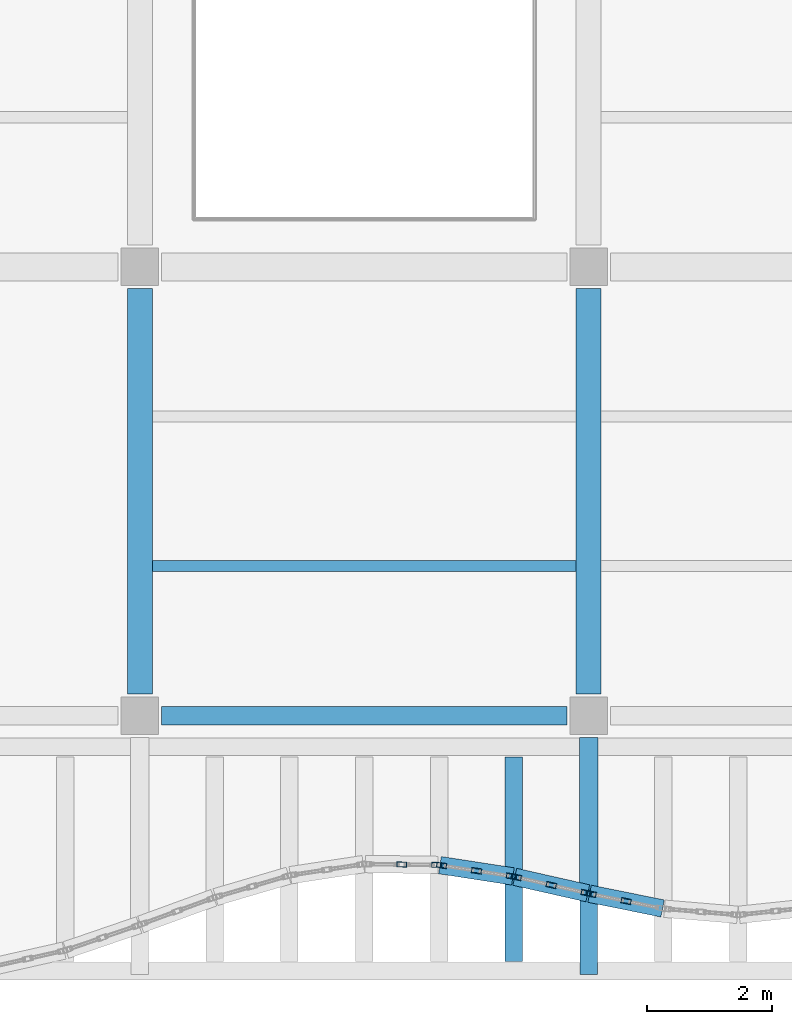
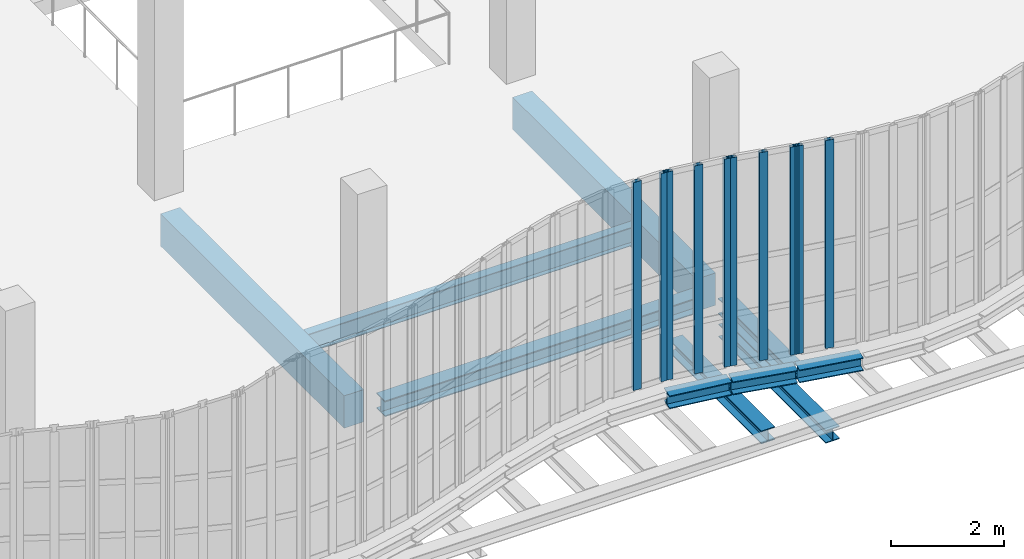
# One storey, part 27 of 105: 10 beams, 10 members, 4 elements without a shape of their own.
"""IFC4 building model written with IfcOpenShell, lengths in metres."""

from ifc_helpers import new_model, si_unit, direction, frame, origin, origin_2d, place, context, subcontext, project, spatial, rectangle, hollow_rectangle, i_section, extrude, material, layer, layer_set, material_profile, profile_set, type_object, element, aggregate, save


model = new_model("IFC4")

# Units and contexts
model_context = context("Model", 3, precision=1e-05, world=origin(), true_north=direction((0.0, 1.0)))
body_context = subcontext(model_context, "Body", "Model", "MODEL_VIEW")
ifc_project = project(units=[si_unit("LENGTHUNIT", "METRE"), si_unit("AREAUNIT", "SQUARE_METRE"), si_unit("VOLUMEUNIT", "CUBIC_METRE"), si_unit("PLANEANGLEUNIT", "RADIAN"), si_unit("MASSUNIT", "GRAM", prefix="KILO"), si_unit("THERMODYNAMICTEMPERATUREUNIT", "KELVIN"), si_unit("POWERUNIT", "WATT")], contexts=[model_context])

# Site, building, storey
site_placement = place(None, origin())
site = spatial("IfcSite", under=ifc_project, at=site_placement, CompositionType="ELEMENT")
building_placement = place(site_placement, origin())
building = spatial("IfcBuilding", under=site, at=building_placement, Name="Kaldorven Railside Theatre", CompositionType="ELEMENT")
storey_placement = place(building_placement, frame((0.0, 0.0, 9.89990234375)))
storey = spatial("IfcBuildingStorey", under=building, at=storey_placement, Name="L02", CompositionType="ELEMENT", Elevation=9.89990234375)

# Beams
ifc_material_1 = material(Name="Steel S355", Category="steel")
ifc_material_profile_1 = material_profile(ifc_material_1, i_section(OverallWidth=0.280029296875, OverallDepth=0.280029296875, WebThickness=0.010498046875, FlangeThickness=0.01806640625, at=origin_2d()), Name="HEB 280")
ifc_profile_set_1 = profile_set([ifc_material_profile_1], Name="Steel S355")
beam_type_1 = type_object("IfcBeamType", Name="BM-HEB280", PredefinedType="SPANDREL", material=ifc_profile_set_1)
beam_1_placement = place(storey_placement, frame((87.199951171875, 15.050048828125, -0.97998046875), z_axis=(0.0, 1.0, 0.0), x_axis=(-1.0, 0.0, 0.0)))
element("IfcBeam", 1, at=beam_1_placement, inside=storey, type_object=beam_type_1, Name="L02 Sinusoidal Lower Cantilever Girder FOB-K020", PredefinedType="SPANDREL", context=body_context, shape_type="SweptSolid", body=[
    extrude(i_section(OverallWidth=0.280029296875, OverallDepth=0.280029296875, WebThickness=0.010498046875, FlangeThickness=0.01806640625, at=origin_2d()), origin(), (0.0, 0.0, 1.0), 3.800048828125),
])
beam_2_placement = place(storey_placement, frame((84.814697265625, 16.80224609375, -0.419921875), z_axis=(0.988233068562, -0.152955556294, 0.0), x_axis=(0.152955556294, 0.988233068562, 0.0)))
element("IfcBeam", 2, at=beam_2_placement, inside=storey, type_object=beam_type_1, Name="L02 Sinusoidal Flute Edge Spandrel FSB-113", PredefinedType="SPANDREL", context=body_context, shape_type="SweptSolid", body=[
    extrude(i_section(OverallWidth=0.280029296875, OverallDepth=0.280029296875, WebThickness=0.010498046875, FlangeThickness=0.01806640625, at=origin_2d()), origin(), (0.0, 0.0, 1.0), 1.184326171875),
])
beam_3_placement = place(storey_placement, frame((86.0146484375, 16.615478515625, -0.419921875), z_axis=(0.975342220992, -0.220697874823, 0.0), x_axis=(0.220697874823, 0.975342220992, 0.0)))
element("IfcBeam", 3, at=beam_3_placement, inside=storey, type_object=beam_type_1, Name="L02 Sinusoidal Flute Edge Spandrel FSB-114", PredefinedType="SPANDREL", context=body_context, shape_type="SweptSolid", body=[
    extrude(i_section(OverallWidth=0.280029296875, OverallDepth=0.280029296875, WebThickness=0.010498046875, FlangeThickness=0.01806640625, at=origin_2d()), origin(), (0.0, 0.0, 1.0), 1.2001953125),
])
beam_4_placement = place(storey_placement, frame((86.0, 15.260009765625, -0.699951171875), z_axis=(0.0, 1.0, 0.0), x_axis=(-1.0, 0.0, 0.0)))
element("IfcBeam", 4, at=beam_4_placement, inside=storey, type_object=beam_type_1, Name="L02 Sinusoidal Diaphragm Rib Outrigger FOB-M114", PredefinedType="SPANDREL", context=body_context, shape_type="SweptSolid", body=[
    extrude(i_section(OverallWidth=0.280029296875, OverallDepth=0.280029296875, WebThickness=0.010498046875, FlangeThickness=0.01806640625, at=origin_2d()), origin(), (0.0, 0.0, 1.0), 3.280029296875),
])
beam_5_placement = place(storey_placement, frame((87.214599609375, 16.34423828125, -0.419921875), z_axis=(0.980145886477, -0.19827768715, 0.0), x_axis=(0.19827768715, 0.980145886477, 0.0)))
element("IfcBeam", 5, at=beam_5_placement, inside=storey, type_object=beam_type_1, Name="L02 Sinusoidal Flute Edge Spandrel FSB-115", PredefinedType="SPANDREL", context=body_context, shape_type="SweptSolid", body=[
    extrude(i_section(OverallWidth=0.280029296875, OverallDepth=0.280029296875, WebThickness=0.010498046875, FlangeThickness=0.01806640625, at=origin_2d()), origin(), (0.0, 0.0, 1.0), 1.1943359375),
])
ifc_material_profile_2 = material_profile(ifc_material_1, i_section(OverallWidth=0.300048828125, OverallDepth=0.340087890625, WebThickness=0.011962890625, FlangeThickness=0.021484375, at=origin_2d()), Name="HEB 340")
ifc_profile_set_2 = profile_set([ifc_material_profile_2], Name="Steel S355")
beam_type_2 = type_object("IfcBeamType", Name="BM-HEB340", PredefinedType="SPANDREL", material=ifc_profile_set_2)
beam_6_placement = place(storey_placement, frame((80.35009765625, 19.199951171875, -0.449951171875), z_axis=(1.0, 0.0, 0.0), x_axis=(0.0, 1.0, 0.0)))
element("IfcBeam", 6, at=beam_6_placement, inside=storey, type_object=beam_type_2, Name="L02 Girder BGX-L02-080-019", PredefinedType="SPANDREL", context=body_context, shape_type="SweptSolid", body=[
    extrude(i_section(OverallWidth=0.300048828125, OverallDepth=0.340087890625, WebThickness=0.011962890625, FlangeThickness=0.021484375, at=origin_2d()), origin(), (0.0, 0.0, 1.0), 6.5),
])
beam_7_placement = place(storey_placement, frame((87.199951171875, 16.4072265625, -0.449951171875), z_axis=(0.0, 1.0, 0.0), x_axis=(-1.0, 0.0, 0.0)))
element("IfcBeam", 7, at=beam_7_placement, inside=storey, type_object=beam_type_2, Name="L02 Sinusoidal Veil Outrigger FOB-2087", PredefinedType="SPANDREL", context=body_context, shape_type="SweptSolid", body=[
    extrude(i_section(OverallWidth=0.300048828125, OverallDepth=0.340087890625, WebThickness=0.011962890625, FlangeThickness=0.021484375, at=origin_2d()), origin(), (0.0, 0.0, 1.0), 2.44287109375),
])
ifc_material_profile_3 = material_profile(ifc_material_1, i_section(OverallWidth=0.179931640625, OverallDepth=0.39990234375, WebThickness=0.008544921875, FlangeThickness=0.013427734375, at=origin_2d()), Name="IPE 400")
ifc_profile_set_3 = profile_set([ifc_material_profile_3], Name="Steel S355")
beam_type_3 = type_object("IfcBeamType", Name="BM-IPE400", PredefinedType="JOIST", material=ifc_profile_set_3)
beam_8_placement = place(storey_placement, frame((80.199951171875, 21.60009765625, -0.47998046875), z_axis=(1.0, 0.0, 0.0), x_axis=(0.0, 1.0, 0.0)))
element("IfcBeam", 8, at=beam_8_placement, inside=storey, type_object=beam_type_3, Name="L02 Secondary Floor Joist JG-L02-080-0216", PredefinedType="JOIST", context=body_context, shape_type="SweptSolid", body=[
    extrude(i_section(OverallWidth=0.179931640625, OverallDepth=0.39990234375, WebThickness=0.008544921875, FlangeThickness=0.013427734375, at=origin_2d()), origin(), (0.0, 0.0, 1.0), 6.800048828125),
])
ifc_material_2 = material(Name="Concrete C40/50", Category="concrete")
ifc_material_profile_4 = material_profile(ifc_material_2, rectangle(XDim=0.39990234375, YDim=0.699951171875, at=origin_2d()), Name="RC 400x700")
ifc_profile_set_4 = profile_set([ifc_material_profile_4], Name="Concrete C40/50")
beam_type_4 = type_object("IfcBeamType", Name="BM-RC400x700", PredefinedType="BEAM", material=ifc_profile_set_4)
for number, where, z_axis, x_axis, name in (
    (9, (80.0, 19.550048828125, -0.6298828125), (0.0, 1.0, 0.0), (-1.0, 0.0, 0.0), "L02 Girder BGY-L02-080-019-72"),
    (10, (87.199951171875, 19.550048828125, -0.6298828125), (0.0, 1.0, 0.0), (-1.0, 0.0, 0.0), "L02 Girder BGY-L02-087-019-72"),
):
    element("IfcBeam", number, at=place(storey_placement, frame(where, z_axis=z_axis, x_axis=x_axis)), inside=storey, type_object=beam_type_4, Name=name, PredefinedType="BEAM", context=body_context, shape_type="SweptSolid", body=[
        extrude(rectangle(XDim=0.39990234375, YDim=0.699951171875, at=origin_2d()), origin(), (0.0, 0.0, 1.0), 6.5),
    ])

# Curtain wall, members
ifc_material_3 = material(Name="Low-E laminated solar-control glass", Category="glass")
ifc_layer_1 = layer(ifc_material_3, 0.159912109375, Name="Low-E laminated solar-control glass")
ifc_layer_set_1 = layer_set([ifc_layer_1], Name="Low-E laminated solar-control glass")
curtain_wall_type_1 = type_object("IfcCurtainWallType", Name="CWT-03", PredefinedType="USERDEFINED", material=ifc_layer_set_1)
curtain_wall_1_placement = place(storey_placement, origin())
curtain_wall_1 = element("IfcCurtainWall", 11, at=curtain_wall_1_placement, inside=storey, type_object=curtain_wall_type_1, Name="Sinusoidal Fluted Curtain Wall CW-L02-S40", ObjectType="FLUTED GLAZING", PredefinedType="USERDEFINED")
ifc_material_4 = material(Name="Anodised bronze aluminium", Category="aluminium")
ifc_material_profile_5 = material_profile(ifc_material_4, hollow_rectangle(XDim=0.080078125, YDim=0.159912109375, WallThickness=0.00634765625, at=origin_2d()), Name="RHS 160x80x6.3")
ifc_profile_set_5 = profile_set([ifc_material_profile_5], Name="Anodised bronze aluminium")
member_type = type_object("IfcMemberType", Name="CWM-160", PredefinedType="MULLION", material=ifc_profile_set_5)
member_1_placement = place(storey_placement, frame((84.199951171875, 16.81298828125, 0.0), z_axis=(0.0, 0.0, 1.0), x_axis=(0.013832009936, 0.999904333174, 0.0)))
member_1 = element("IfcMember", 12, at=member_1_placement, type_object=member_type, Name="CW-L02-S40 mullion 2", PredefinedType="MULLION", context=body_context, shape_type="SweptSolid", body=[
    extrude(hollow_rectangle(XDim=0.080078125, YDim=0.159912109375, WallThickness=0.00634765625, at=origin_2d()), origin(), (0.0, 0.0, 1.0), 4.5),
])
member_2_placement = place(storey_placement, frame((84.760009765625, 16.80517578125, 0.0), z_axis=(0.0, 0.0, 1.0), x_axis=(0.013832009936, 0.999904333174, 0.0)))
member_2 = element("IfcMember", 13, at=member_2_placement, type_object=member_type, Name="CW-L02-S40 mullion 3", PredefinedType="MULLION", context=body_context, shape_type="SweptSolid", body=[
    extrude(hollow_rectangle(XDim=0.080078125, YDim=0.159912109375, WallThickness=0.00634765625, at=origin_2d()), origin(), (0.0, 0.0, 1.0), 4.5),
])
aggregate(curtain_wall_1, [member_1, member_2])

ifc_layer_2 = layer(ifc_material_3, 0.159912109375, Name="Low-E laminated solar-control glass")
ifc_layer_set_2 = layer_set([ifc_layer_2], Name="Low-E laminated solar-control glass")
curtain_wall_type_2 = type_object("IfcCurtainWallType", Name="CWT-07", PredefinedType="USERDEFINED", material=ifc_layer_set_2)
curtain_wall_2_placement = place(storey_placement, origin())
curtain_wall_2 = element("IfcCurtainWall", 14, at=curtain_wall_2_placement, inside=storey, type_object=curtain_wall_type_2, Name="Sinusoidal Fluted Curtain Wall CW-L02-S41", ObjectType="FLUTED GLAZING", PredefinedType="USERDEFINED")
member_3_placement = place(storey_placement, frame((84.839599609375, 16.798583984375, 0.0), z_axis=(0.0, 0.0, 1.0), x_axis=(0.153010112468, 0.988224622989, 0.0)))
member_3 = element("IfcMember", 15, at=member_3_placement, type_object=member_type, Name="CW-L02-S41 mullion 1", PredefinedType="MULLION", context=body_context, shape_type="SweptSolid", body=[
    extrude(hollow_rectangle(XDim=0.080078125, YDim=0.159912109375, WallThickness=0.00634765625, at=origin_2d()), origin(), (0.0, 0.0, 1.0), 4.5),
])
member_4_placement = place(storey_placement, frame((85.39990234375, 16.711669921875, 0.0), z_axis=(0.0, 0.0, 1.0), x_axis=(0.153010112468, 0.988224622989, 0.0)))
member_4 = element("IfcMember", 16, at=member_4_placement, type_object=member_type, Name="CW-L02-S41 mullion 2", PredefinedType="MULLION", context=body_context, shape_type="SweptSolid", body=[
    extrude(hollow_rectangle(XDim=0.080078125, YDim=0.159912109375, WallThickness=0.00634765625, at=origin_2d()), origin(), (0.0, 0.0, 1.0), 4.5),
])
member_5_placement = place(storey_placement, frame((85.96044921875, 16.625, 0.0), z_axis=(0.0, 0.0, 1.0), x_axis=(0.153010112468, 0.988224622989, 0.0)))
member_5 = element("IfcMember", 17, at=member_5_placement, type_object=member_type, Name="CW-L02-S41 mullion 3", PredefinedType="MULLION", context=body_context, shape_type="SweptSolid", body=[
    extrude(hollow_rectangle(XDim=0.080078125, YDim=0.159912109375, WallThickness=0.00634765625, at=origin_2d()), origin(), (0.0, 0.0, 1.0), 4.5),
])
aggregate(curtain_wall_2, [member_3, member_4, member_5])

ifc_layer_3 = layer(ifc_material_3, 0.159912109375, Name="Low-E laminated solar-control glass")
ifc_layer_set_3 = layer_set([ifc_layer_3], Name="Low-E laminated solar-control glass")
curtain_wall_type_3 = type_object("IfcCurtainWallType", Name="CWT-02", PredefinedType="USERDEFINED", material=ifc_layer_set_3)
curtain_wall_3_placement = place(storey_placement, origin())
curtain_wall_3 = element("IfcCurtainWall", 18, at=curtain_wall_3_placement, inside=storey, type_object=curtain_wall_type_3, Name="Sinusoidal Fluted Curtain Wall CW-L02-S42", ObjectType="FLUTED GLAZING", PredefinedType="USERDEFINED")
member_6_placement = place(storey_placement, frame((86.0390625, 16.60986328125, 0.0), z_axis=(0.0, 0.0, 1.0), x_axis=(0.220672477642, 0.975347967451, 0.0)))
member_6 = element("IfcMember", 19, at=member_6_placement, type_object=member_type, Name="CW-L02-S42 mullion 1", PredefinedType="MULLION", context=body_context, shape_type="SweptSolid", body=[
    extrude(hollow_rectangle(XDim=0.080078125, YDim=0.159912109375, WallThickness=0.00634765625, at=origin_2d()), origin(), (0.0, 0.0, 1.0), 4.5),
])
member_7_placement = place(storey_placement, frame((86.60009765625, 16.483154296875, 0.0), z_axis=(0.0, 0.0, 1.0), x_axis=(0.220672477642, 0.975347967451, 0.0)))
member_7 = element("IfcMember", 20, at=member_7_placement, type_object=member_type, Name="CW-L02-S42 mullion 2", PredefinedType="MULLION", context=body_context, shape_type="SweptSolid", body=[
    extrude(hollow_rectangle(XDim=0.080078125, YDim=0.159912109375, WallThickness=0.00634765625, at=origin_2d()), origin(), (0.0, 0.0, 1.0), 4.5),
])
member_8_placement = place(storey_placement, frame((87.160888671875, 16.356201171875, 0.0), z_axis=(0.0, 0.0, 1.0), x_axis=(0.220672477642, 0.975347967451, 0.0)))
member_8 = element("IfcMember", 21, at=member_8_placement, type_object=member_type, Name="CW-L02-S42 mullion 3", PredefinedType="MULLION", context=body_context, shape_type="SweptSolid", body=[
    extrude(hollow_rectangle(XDim=0.080078125, YDim=0.159912109375, WallThickness=0.00634765625, at=origin_2d()), origin(), (0.0, 0.0, 1.0), 4.5),
])
aggregate(curtain_wall_3, [member_6, member_7, member_8])

curtain_wall_4_placement = place(storey_placement, origin())
curtain_wall_4 = element("IfcCurtainWall", 22, at=curtain_wall_4_placement, inside=storey, type_object=curtain_wall_type_2, Name="Sinusoidal Fluted Curtain Wall CW-L02-S43", ObjectType="FLUTED GLAZING", PredefinedType="USERDEFINED")
member_9_placement = place(storey_placement, frame((87.2392578125, 16.33935546875, 0.0), z_axis=(0.0, 0.0, 1.0), x_axis=(0.198393134453, 0.980122525097, 0.0)))
member_9 = element("IfcMember", 23, at=member_9_placement, type_object=member_type, Name="CW-L02-S43 mullion 1", PredefinedType="MULLION", context=body_context, shape_type="SweptSolid", body=[
    extrude(hollow_rectangle(XDim=0.080078125, YDim=0.159912109375, WallThickness=0.00634765625, at=origin_2d()), origin(), (0.0, 0.0, 1.0), 4.5),
])
member_10_placement = place(storey_placement, frame((87.800048828125, 16.225830078125, 0.0), z_axis=(0.0, 0.0, 1.0), x_axis=(0.198393134453, 0.980122525097, 0.0)))
member_10 = element("IfcMember", 24, at=member_10_placement, type_object=member_type, Name="CW-L02-S43 mullion 2", PredefinedType="MULLION", context=body_context, shape_type="SweptSolid", body=[
    extrude(hollow_rectangle(XDim=0.080078125, YDim=0.159912109375, WallThickness=0.00634765625, at=origin_2d()), origin(), (0.0, 0.0, 1.0), 4.5),
])
aggregate(curtain_wall_4, [member_9, member_10])

save(model, "model.ifc")
